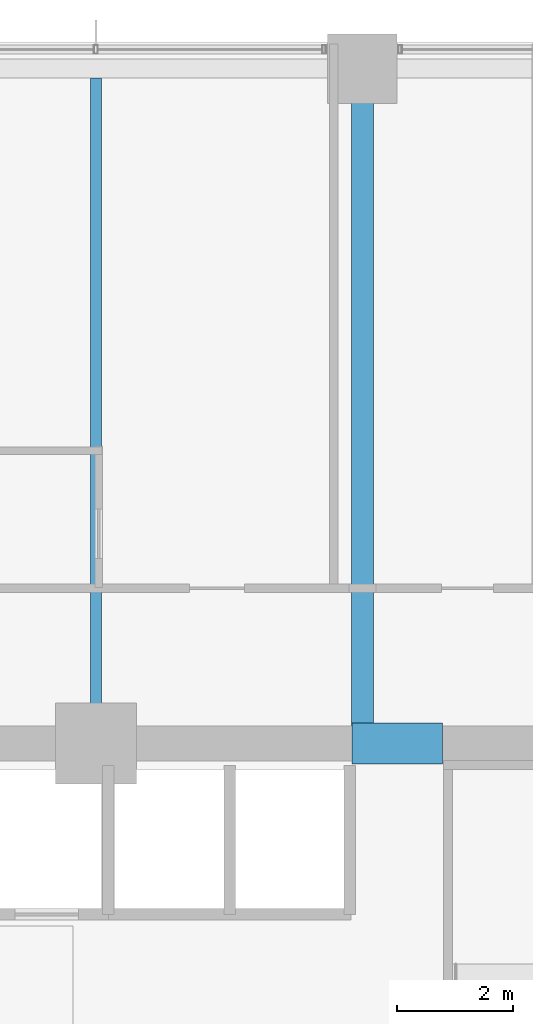
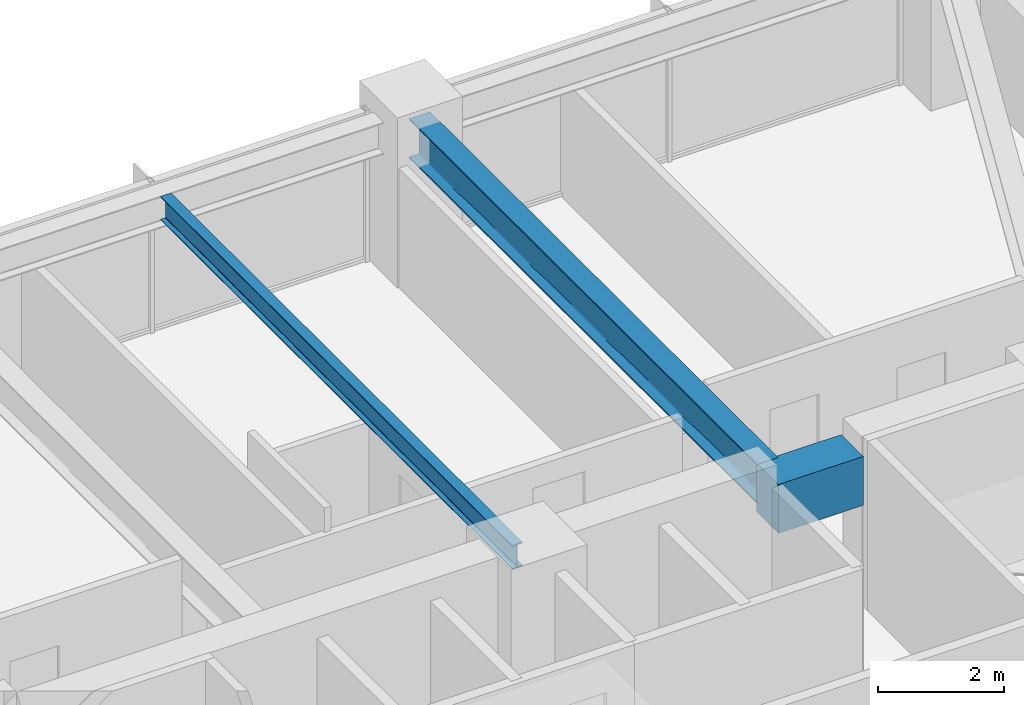
# One storey, part 22 of 38: 3 beams.
"""IFC4 building model written with IfcOpenShell, lengths in metres."""

from ifc_helpers import new_model, si_unit, direction, frame, origin, origin_2d, place, context, subcontext, project, spatial, rectangle, i_section, extrude, material, material_profile, profile_set, type_object, element, save


model = new_model("IFC4")

# Units and contexts
model_context = context("Model", 3, precision=1e-05, world=origin(), true_north=direction((0.0, 1.0)))
body_context = subcontext(model_context, "Body", "Model", "MODEL_VIEW")
ifc_project = project(units=[si_unit("LENGTHUNIT", "METRE"), si_unit("AREAUNIT", "SQUARE_METRE"), si_unit("VOLUMEUNIT", "CUBIC_METRE"), si_unit("PLANEANGLEUNIT", "RADIAN"), si_unit("MASSUNIT", "GRAM", prefix="KILO")], contexts=[model_context])

# Site, building, storey
site_placement = place(None, origin())
site = spatial("IfcSite", under=ifc_project, at=site_placement, CompositionType="ELEMENT")
building_placement = place(site_placement, origin())
building = spatial("IfcBuilding", under=site, at=building_placement, Name="Kolvaren Belvedere", CompositionType="ELEMENT")
storey_placement = place(building_placement, frame((0.0, 0.0, 60.10009765625)))
storey = spatial("IfcBuildingStorey", under=building, at=storey_placement, Name="L17", CompositionType="ELEMENT", Elevation=60.10009765625)

# Beams
ifc_material_1 = material(Name="Structural steel ASTM A992 Grade 50", Category="steel")
ifc_material_profile_1 = material_profile(ifc_material_1, i_section(OverallWidth=0.381103515625, OverallDepth=0.77294921875, WebThickness=0.0166015625, FlangeThickness=0.027099609375, FilletRadius=0.02392578125, at=origin_2d()), Name="W30X173")
ifc_profile_set_1 = profile_set([ifc_material_profile_1], Name="Structural steel ASTM A992 Grade 50")
beam_type_1 = type_object("IfcBeamType", Name="BM-GIRD-W30X173", PredefinedType="BEAM", material=ifc_profile_set_1)
beam_1_placement = place(storey_placement, frame((4.60009765625, 10.199951171875, 2.5634765625), z_axis=(0.0, 1.0, 0.0), x_axis=(-1.0, 0.0, 0.0)))
element("IfcBeam", 1, at=beam_1_placement, inside=storey, type_object=beam_type_1, Name="L17 North Radial Girder P", PredefinedType="BEAM", context=body_context, shape_type="SweptSolid", body=[
    extrude(i_section(OverallWidth=0.381103515625, OverallDepth=0.77294921875, WebThickness=0.0166015625, FlangeThickness=0.027099609375, FilletRadius=0.02392578125, at=origin_2d()), origin(), (0.0, 0.0, 1.0), 11.080078125),
])
ifc_material_2 = material(Name="Structural steel ASTM A992 Grade 50", Category="steel")
ifc_material_profile_2 = material_profile(ifc_material_2, i_section(OverallWidth=0.19091796875, OverallDepth=0.4599609375, WebThickness=0.010009765625, FlangeThickness=0.01611328125, FilletRadius=0.014892578125, at=origin_2d()), Name="W18X55")
ifc_profile_set_2 = profile_set([ifc_material_profile_2], Name="Structural steel ASTM A992 Grade 50")
beam_type_2 = type_object("IfcBeamType", Name="BM-JOIST-W18X55", PredefinedType="BEAM", material=ifc_profile_set_2)
beam_2_placement = place(storey_placement, frame((0.0, 10.199951171875, 2.719970703125), z_axis=(0.0, 1.0, 0.0), x_axis=(-1.0, 0.0, 0.0)))
element("IfcBeam", 2, at=beam_2_placement, inside=storey, type_object=beam_type_2, Name="L17 North Centre Floor Beam", PredefinedType="BEAM", context=body_context, shape_type="SweptSolid", body=[
    extrude(i_section(OverallWidth=0.19091796875, OverallDepth=0.4599609375, WebThickness=0.010009765625, FlangeThickness=0.01611328125, FilletRadius=0.014892578125, at=origin_2d()), origin(), (0.0, 0.0, 1.0), 11.1875),
])
ifc_material_3 = material(Name="Concrete C60/75", Category="concrete")
ifc_material_profile_3 = material_profile(ifc_material_3, rectangle(XDim=0.699951171875, YDim=0.949951171875, at=origin_2d()), Name="RC 700X950")
ifc_profile_set_3 = profile_set([ifc_material_profile_3], Name="Concrete C60/75")
beam_type_3 = type_object("IfcBeamType", Name="BM-LINT-950", PredefinedType="LINTEL", material=ifc_profile_set_3)
beam_3_placement = place(storey_placement, frame((4.419921875, 9.89990234375, 2.474853515625), z_axis=(1.0, 0.0, 0.0), x_axis=(0.0, 1.0, 0.0)))
element("IfcBeam", 3, at=beam_3_placement, inside=storey, type_object=beam_type_3, Name="L17 North Core Coupling Lintel", PredefinedType="LINTEL", context=body_context, shape_type="SweptSolid", body=[
    extrude(rectangle(XDim=0.699951171875, YDim=0.949951171875, at=origin_2d()), origin(), (0.0, 0.0, 1.0), 1.56005859375),
])

save(model, "model.ifc")
